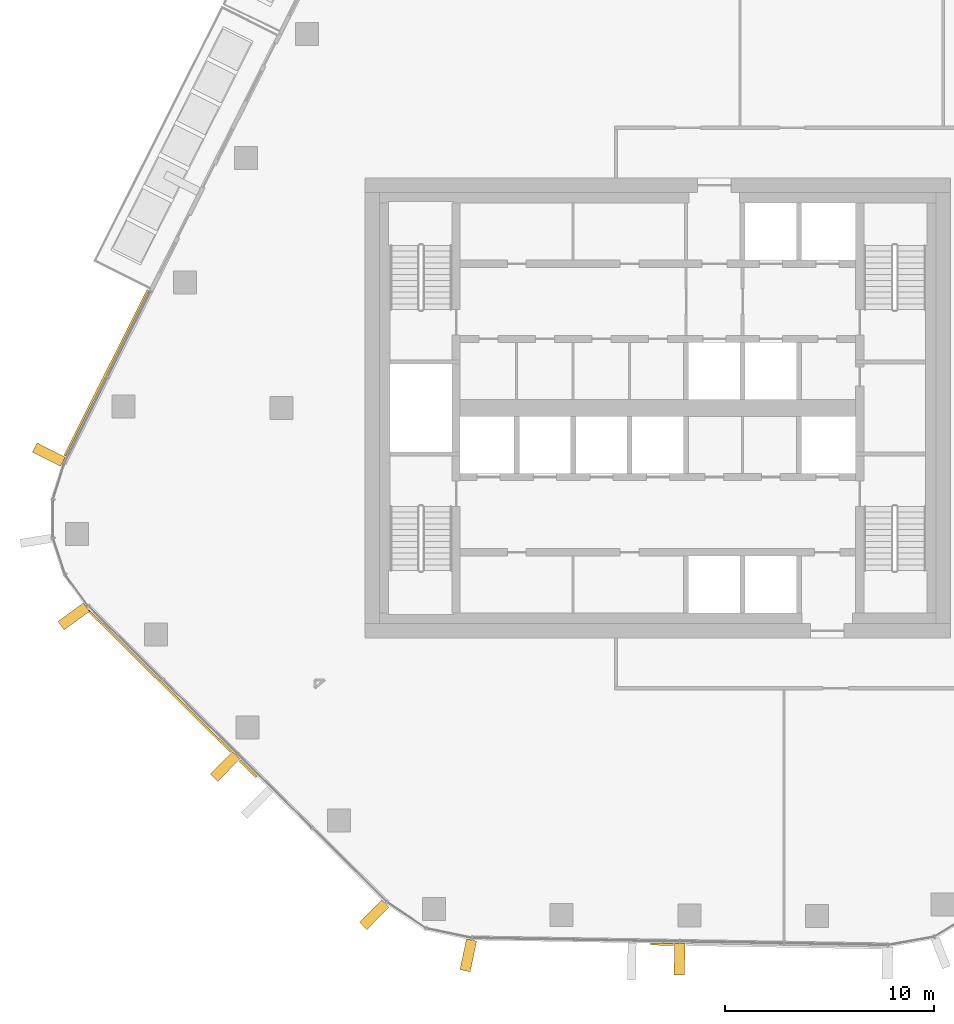
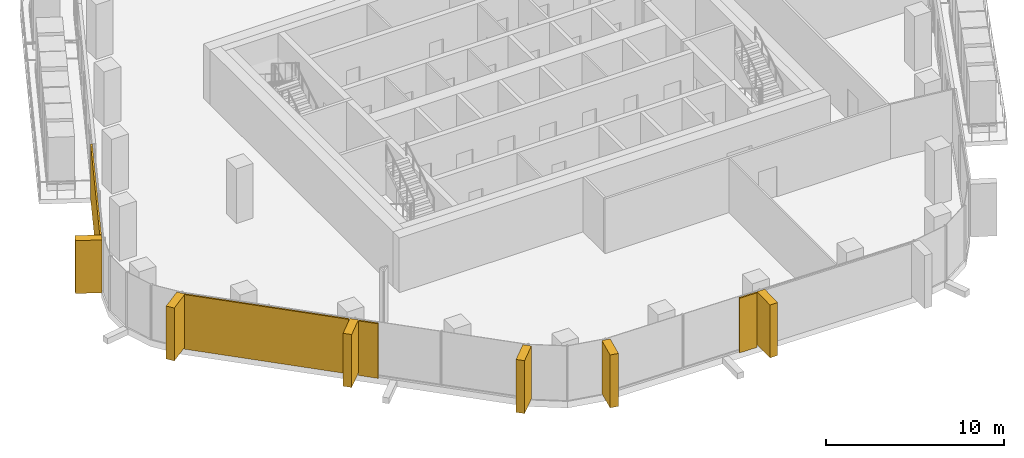
# One storey, part 15 of 21: 10 coverings, 5 elements without a shape of their own.
"""IFC4 building model written with IfcOpenShell, lengths in metres."""

from ifc_helpers import new_model, si_unit, direction, frame, origin, origin_2d, place, context, subcontext, project, spatial, rectangle, extrude, material, layer, layer_set, material_profile, profile_set, type_object, element, aggregate, save


model = new_model("IFC4")

# Units and contexts
model_context = context("Model", 3, precision=1e-05, world=origin(), true_north=direction((0.0, 1.0)))
body_context = subcontext(model_context, "Body", "Model", "MODEL_VIEW")
ifc_project = project(units=[si_unit("LENGTHUNIT", "METRE"), si_unit("AREAUNIT", "SQUARE_METRE"), si_unit("VOLUMEUNIT", "CUBIC_METRE"), si_unit("PLANEANGLEUNIT", "RADIAN"), si_unit("MASSUNIT", "GRAM", prefix="KILO")], contexts=[model_context])

# Site, building, storey
site_placement = place(None, origin())
site = spatial("IfcSite", under=ifc_project, at=site_placement, CompositionType="ELEMENT")
building_placement = place(site_placement, origin())
building = spatial("IfcBuilding", under=site, at=building_placement, Name="Dongbaek Canopy Tower", CompositionType="ELEMENT")
storey_placement = place(building_placement, frame((0.0, 0.0, 232.800048828125)))
storey = spatial("IfcBuildingStorey", under=building, at=storey_placement, Name="L48", CompositionType="ELEMENT", Elevation=232.800048828125)

# Curtain wall, covering
ifc_material_1 = material(Name="Aluminium 6063-T6 pale anodised", Category="aluminium")
ifc_layer_1 = layer(ifc_material_1, 0.199951171875)
ifc_layer_set_1 = layer_set([ifc_layer_1], Name="CW-1 unitised tower curtain wall")
curtain_wall_type = type_object("IfcCurtainWallType", Name="CW-1 unitised tower curtain wall", PredefinedType="NOTDEFINED", material=ifc_layer_set_1)
curtain_wall_1_placement = place(storey_placement, origin())
curtain_wall_1 = element("IfcCurtainWall", 1, at=curtain_wall_1_placement, inside=storey, type_object=curtain_wall_type, Name="CW-1 curtain wall F2.1", PredefinedType="NOTDEFINED")
ifc_material_2 = material(Name="Perforated aluminium 6063-T6 pale metal screen", Category="aluminium")
ifc_layer_2 = layer(ifc_material_2, 0.10009765625)
ifc_layer_set_2 = layer_set([ifc_layer_2], Name="Facet screen FS1 100 pale metal")
covering_type_1 = type_object("IfcCoveringType", Name="Facet screen FS1 100 pale metal", PredefinedType="CLADDING", material=ifc_layer_set_2)
covering_1_placement = place(storey_placement, frame((-26.37060546875, 1.681396484375, 0.0), z_axis=(0.0, 0.0, 1.0), x_axis=(-0.448908874536, -0.893577541326, 0.0)))
covering_1 = element("IfcCovering", 2, at=covering_1_placement, type_object=covering_type_1, Name="Facet screen L48 F2", PredefinedType="CLADDING", context=body_context, shape_type="SweptSolid", body=[
    extrude(rectangle(XDim=8.88330078125, YDim=0.10009765625, at=origin_2d()), origin(), (0.0, 0.0, 1.0), 3.75),
])

# Curtain wall, coverings
curtain_wall_2_placement = place(storey_placement, origin())
curtain_wall_2 = element("IfcCurtainWall", 3, at=curtain_wall_2_placement, inside=storey, type_object=curtain_wall_type, Name="CW-1 curtain wall F3.1", PredefinedType="NOTDEFINED")
covering_2_placement = place(storey_placement, frame((-23.822021484375, -13.061279296875, 0.0), z_axis=(0.0, 0.0, 1.0), x_axis=(0.71016202922, -0.704038274708, 0.0)))
covering_2 = element("IfcCovering", 4, at=covering_2_placement, type_object=covering_type_1, Name="Facet screen L48 F3", PredefinedType="CLADDING", context=body_context, shape_type="SweptSolid", body=[
    extrude(rectangle(XDim=9.612060546875, YDim=0.10009765625, at=origin_2d()), origin(), (0.0, 0.0, 1.0), 3.75),
])
covering_3_placement = place(storey_placement, frame((-19.593505859375, -17.253173828125, 0.0), z_axis=(0.0, 0.0, 1.0), x_axis=(0.71016202922, -0.704038274708, 0.0)))
covering_3 = element("IfcCovering", 5, at=covering_3_placement, type_object=covering_type_1, Name="Facet screen L48 F3", PredefinedType="CLADDING", context=body_context, shape_type="SweptSolid", body=[
    extrude(rectangle(XDim=1.135986328125, YDim=0.10009765625, at=origin_2d()), origin(), (0.0, 0.0, 1.0), 3.75),
])

# Curtain wall, covering
curtain_wall_3_placement = place(storey_placement, origin())
curtain_wall_3 = element("IfcCurtainWall", 6, at=curtain_wall_3_placement, inside=storey, type_object=curtain_wall_type, Name="CW-1 curtain wall F4.1", PredefinedType="NOTDEFINED")
covering_4_placement = place(storey_placement, frame((0.197998046875, -25.642578125, 0.0), z_axis=(0.0, 0.0, 1.0), x_axis=(0.999855600853, -0.016993452933, 0.0)))
covering_4 = element("IfcCovering", 7, at=covering_4_placement, type_object=covering_type_1, Name="Facet screen L48 F4", PredefinedType="CLADDING", context=body_context, shape_type="SweptSolid", body=[
    extrude(rectangle(XDim=1.122314453125, YDim=0.10009765625, at=origin_2d()), origin(), (0.0, 0.0, 1.0), 3.75),
])

# Covering
ifc_material_3 = material(Name="Aluminium 6063-T6 pale metal fin", Category="aluminium")
ifc_material_profile = material_profile(ifc_material_3, rectangle(XDim=1.5, YDim=0.5, at=origin_2d()), Name="Fin FN1 500 x 1500 pale metal")
ifc_profile_set = profile_set([ifc_material_profile], Name="Aluminium 6063-T6 pale metal fin")
covering_type_2 = type_object("IfcCoveringType", Name="Fin FN1 500 x 1500 pale metal", PredefinedType="CLADDING", material=ifc_profile_set)
covering_5_placement = place(storey_placement, frame((-29.12353515625, -2.230712890625, 0.119873046875), z_axis=(0.0, 0.0, 1.0), x_axis=(-0.893577393042, 0.448909169704, 0.0)))
covering_5 = element("IfcCovering", 8, at=covering_5_placement, type_object=covering_type_2, Name="Fin F2.1.3", PredefinedType="CLADDING", context=body_context, shape_type="SweptSolid", body=[
    extrude(rectangle(XDim=1.5, YDim=0.5, at=origin_2d()), origin(), (0.0, 0.0, 1.0), 3.630126953125),
])

aggregate(curtain_wall_1, [covering_5, covering_1])

# Curtain wall, covering
curtain_wall_4_placement = place(storey_placement, origin())
curtain_wall_4 = element("IfcCurtainWall", 9, at=curtain_wall_4_placement, inside=storey, type_object=curtain_wall_type, Name="CW-1 curtain wall K3.1", PredefinedType="NOTDEFINED")
covering_6_placement = place(storey_placement, frame((-27.92919921875, -9.966064453125, 0.119873046875), z_axis=(0.0, 0.0, 1.0), x_axis=(-0.806363114239, -0.591420770683, 0.0)))
covering_6 = element("IfcCovering", 10, at=covering_6_placement, type_object=covering_type_2, Name="Fin K3.1.5", PredefinedType="CLADDING", context=body_context, shape_type="SweptSolid", body=[
    extrude(rectangle(XDim=1.5, YDim=0.5, at=origin_2d()), origin(), (0.0, 0.0, 1.0), 3.630126953125),
])
aggregate(curtain_wall_4, [covering_6])

# Covering
covering_7_placement = place(storey_placement, frame((-20.698486328125, -17.14892578125, 0.119873046875), z_axis=(0.0, 0.0, 1.0), x_axis=(-0.704037952942, -0.710162348211, 0.0)))
covering_7 = element("IfcCovering", 11, at=covering_7_placement, type_object=covering_type_2, Name="Fin F3.1.3", PredefinedType="CLADDING", context=body_context, shape_type="SweptSolid", body=[
    extrude(rectangle(XDim=1.5, YDim=0.5, at=origin_2d()), origin(), (0.0, 0.0, 1.0), 3.630126953125),
])

covering_8_placement = place(storey_placement, frame((-13.55615234375, -24.229736328125, 0.119873046875), z_axis=(0.0, 0.0, 1.0), x_axis=(-0.704037952942, -0.710162348211, 0.0)))
covering_8 = element("IfcCovering", 12, at=covering_8_placement, type_object=covering_type_2, Name="Fin F3.1.5", PredefinedType="CLADDING", context=body_context, shape_type="SweptSolid", body=[
    extrude(rectangle(XDim=1.5, YDim=0.5, at=origin_2d()), origin(), (0.0, 0.0, 1.0), 3.630126953125),
])

aggregate(curtain_wall_2, [covering_7, covering_8, covering_2, covering_3])

# Curtain wall, covering
curtain_wall_5_placement = place(storey_placement, origin())
curtain_wall_5 = element("IfcCurtainWall", 13, at=curtain_wall_5_placement, inside=storey, type_object=curtain_wall_type, Name="CW-1 curtain wall K4.1", PredefinedType="NOTDEFINED")
covering_9_placement = place(storey_placement, frame((-9.063232421875, -26.173828125, 0.119873046875), z_axis=(0.0, 0.0, 1.0), x_axis=(-0.206515518802, -0.978443325131, 0.0)))
covering_9 = element("IfcCovering", 14, at=covering_9_placement, type_object=covering_type_2, Name="Fin K4.1.3", PredefinedType="CLADDING", context=body_context, shape_type="SweptSolid", body=[
    extrude(rectangle(XDim=1.5, YDim=0.5, at=origin_2d()), origin(), (0.0, 0.0, 1.0), 3.630126953125),
])
aggregate(curtain_wall_5, [covering_9])

# Covering
covering_10_placement = place(storey_placement, frame((1.036865234375, -26.361083984375, 0.119873046875), z_axis=(0.0, 0.0, 1.0), x_axis=(-0.016993149743, -0.999855606006, 0.0)))
covering_10 = element("IfcCovering", 15, at=covering_10_placement, type_object=covering_type_2, Name="Fin F4.1.3", PredefinedType="CLADDING", context=body_context, shape_type="SweptSolid", body=[
    extrude(rectangle(XDim=1.5, YDim=0.5, at=origin_2d()), origin(), (0.0, 0.0, 1.0), 3.630126953125),
])

aggregate(curtain_wall_3, [covering_10, covering_4])

save(model, "model.ifc")
